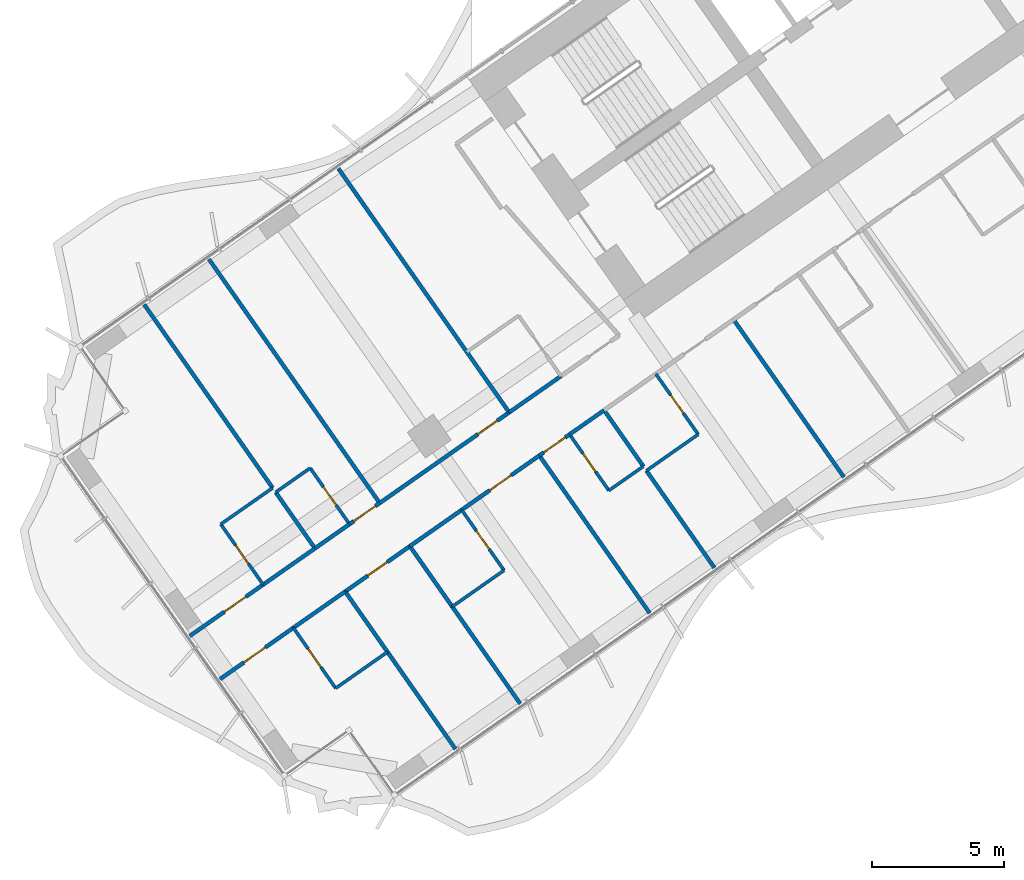
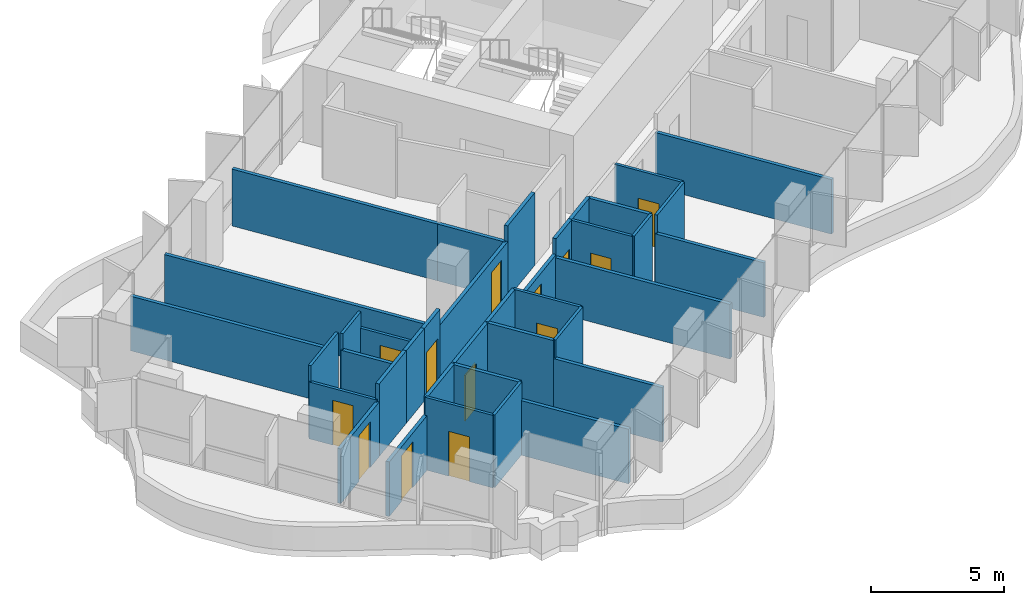
# One storey, part 13 of 25: 38 walls, 13 doors, 13 openings.
"""IFC4 building model written with IfcOpenShell, lengths in metres."""

from ifc_helpers import new_model, si_unit, direction, frame, frame_2d, origin, place, context, subcontext, project, spatial, rectangle, extrude, material, layer, layer_set, type_object, element, fill, save


model = new_model("IFC4")

# Units and contexts
model_context = context("Model", 3, precision=1e-05, world=origin(), true_north=direction((0.0, 1.0)))
body_context = subcontext(model_context, "Body", "Model", "MODEL_VIEW")
ifc_project = project(units=[si_unit("LENGTHUNIT", "METRE"), si_unit("AREAUNIT", "SQUARE_METRE"), si_unit("VOLUMEUNIT", "CUBIC_METRE"), si_unit("PLANEANGLEUNIT", "RADIAN"), si_unit("MASSUNIT", "GRAM", prefix="KILO")], contexts=[model_context])

# Site, building, storey
site_placement = place(None, origin())
site = spatial("IfcSite", under=ifc_project, at=site_placement, CompositionType="ELEMENT")
building_placement = place(site_placement, origin())
building = spatial("IfcBuilding", under=site, at=building_placement, Name="Tel Ilan Convention Tower", CompositionType="ELEMENT")
storey_placement = place(building_placement, frame((0.0, 0.0, 61.699951171875)))
storey = spatial("IfcBuildingStorey", under=building, at=storey_placement, Name="L10", CompositionType="ELEMENT", Elevation=61.699951171875)

# Wall
ifc_material_1 = material(Name="Plasterboard on Steel Studs", Category="steel")
ifc_layer_1 = layer(ifc_material_1, 0.14990234375)
ifc_layer_set_1 = layer_set([ifc_layer_1], Name="Fire-rated Partition 150 EI 60")
wall_type_1 = type_object("IfcWallType", Name="Fire-rated Partition 150 EI 60", PredefinedType="PARTITIONING", material=ifc_layer_set_1)
wall_1_placement = place(storey_placement, frame((-26.460205078125, -19.748291015625, 0.0), z_axis=(0.0, 0.0, 1.0), x_axis=(0.819179439794, 0.573537309527, 0.0)))
element("IfcWall", 1, at=wall_1_placement, inside=storey, type_object=wall_type_1, Name="Partition 029", PredefinedType="PARTITIONING", context=body_context, shape_type="SweptSolid", body=[
    extrude(rectangle(XDim=2.404296875, YDim=0.14990234375, at=frame_2d((1.2021484375, 0.0))), origin(), (0.0, 0.0, 1.0), 3.320068359375),
])

# Wall, opening, door
wall_2_placement = place(storey_placement, frame((-31.375, -23.189697265625, 0.0), z_axis=(0.0, 0.0, 1.0), x_axis=(0.819165052243, 0.573557858619, 0.0)))
wall_2 = element("IfcWall", 2, at=wall_2_placement, inside=storey, type_object=wall_type_1, Name="Partition 030", PredefinedType="PARTITIONING", context=body_context, shape_type="SweptSolid", body=[
    extrude(rectangle(XDim=6.00390625, YDim=0.14990234375, at=frame_2d((3.001953125, 0.0))), origin(), (0.0, 0.0, 1.0), 2.60009765625),
])
opening_1_placement = place(wall_2_placement, frame((4.552001953125, 0.0, 0.0)))
opening_1 = element("IfcOpeningElement", 3, at=opening_1_placement, cuts=wall_2, Name="Opening L08-019", PredefinedType="OPENING", context=body_context, shape_type="SweptSolid", body=[
    extrude(rectangle(XDim=0.89990234375, YDim=2.10009765625, at=frame_2d((0.449951171875, 1.050048828125))), frame((0.0, 0.0849609375, 0.0), z_axis=(0.0, -1.0, 0.0), x_axis=(1.0, 0.0, 0.0)), (0.0, 0.0, 1.0), 0.169921875),
])
ifc_material_2 = material(Name="Timber Door Leaf in Steel Frame", Category="steel")
door_type_1 = type_object("IfcDoorType", Name="Room Fire Door 900x2100", OperationType="NOTDEFINED", PredefinedType="DOOR", material=ifc_material_2)
door_1_placement = place(opening_1_placement, origin())
door_1 = element("IfcDoor", 4, at=door_1_placement, inside=storey, type_object=door_type_1, Name="Door L08-019", OperationType="SINGLE_SWING_LEFT", OverallHeight=2.10009765625, OverallWidth=0.89990234375, PredefinedType="DOOR", context=body_context, shape_type="SweptSolid", body=[
    extrude(rectangle(XDim=0.89990234375, YDim=2.10009765625, at=frame_2d((0.449951171875, 1.050048828125))), frame((0.0, 0.02490234375, 0.0), z_axis=(0.0, -1.0, 0.0), x_axis=(1.0, 0.0, 0.0)), (0.0, 0.0, 1.0), 0.050048828125),
])
fill(opening_1, door_1)

wall_3_placement = place(storey_placement, frame((-32.52099609375, -23.9921875, 0.0), z_axis=(0.0, 0.0, 1.0), x_axis=(0.819199220913, 0.573509055252, 0.0)))
wall_3 = element("IfcWall", 5, at=wall_3_placement, inside=storey, type_object=wall_type_1, Name="Partition 031", PredefinedType="PARTITIONING", context=body_context, shape_type="SweptSolid", body=[
    extrude(rectangle(XDim=1.403076171875, YDim=0.14990234375, at=frame_2d((0.70166015625, 0.0))), origin(), (0.0, 0.0, 1.0), 3.320068359375),
])
opening_2_placement = place(wall_3_placement, frame((0.200927734375, 0.0, 0.0)))
opening_2 = element("IfcOpeningElement", 6, at=opening_2_placement, cuts=wall_3, Name="Opening L08-021", PredefinedType="OPENING", context=body_context, shape_type="SweptSolid", body=[
    extrude(rectangle(XDim=1.0, YDim=2.10009765625, at=frame_2d((0.5, 1.050048828125))), frame((0.0, 0.0849609375, 0.0), z_axis=(0.0, -1.0, 0.0), x_axis=(1.0, 0.0, 0.0)), (0.0, 0.0, 1.0), 0.169921875),
])
ifc_material_3 = material(Name="Timber Door Leaf in Steel Frame", Category="steel")
door_type_2 = type_object("IfcDoorType", Name="Hotel Room Entrance Fire Door 1000x2100", OperationType="NOTDEFINED", PredefinedType="DOOR", material=ifc_material_3)
door_2_placement = place(opening_2_placement, origin())
door_2 = element("IfcDoor", 7, at=door_2_placement, inside=storey, type_object=door_type_2, Name="Door L08-021", OperationType="SINGLE_SWING_RIGHT", OverallHeight=2.10009765625, OverallWidth=1.0, PredefinedType="DOOR", context=body_context, shape_type="SweptSolid", body=[
    extrude(rectangle(XDim=1.0, YDim=2.10009765625, at=frame_2d((0.5, 1.050048828125))), frame((0.0, 0.02490234375, 0.0), z_axis=(0.0, -1.0, 0.0), x_axis=(1.0, 0.0, 0.0)), (0.0, 0.0, 1.0), 0.050048828125),
])
fill(opening_2, door_2)

# Wall
wall_4_placement = place(storey_placement, frame((-33.83251953125, -24.910400390625, 0.0), z_axis=(0.0, 0.0, 1.0), x_axis=(0.819189013667, 0.573523634986, 0.0)))
element("IfcWall", 8, at=wall_4_placement, inside=storey, type_object=wall_type_1, Name="Partition 032", PredefinedType="PARTITIONING", context=body_context, shape_type="SweptSolid", body=[
    extrude(rectangle(XDim=1.60400390625, YDim=0.14990234375, at=frame_2d((0.802001953125, 0.0))), origin(), (0.0, 0.0, 1.0), 3.320068359375),
])

# Wall, opening, door
wall_5_placement = place(storey_placement, frame((-38.581787109375, -28.236083984375, 0.0), z_axis=(0.0, 0.0, 1.0), x_axis=(0.819154345195, 0.573573150303, 0.0)))
wall_5 = element("IfcWall", 9, at=wall_5_placement, inside=storey, type_object=wall_type_1, Name="Partition 033", PredefinedType="PARTITIONING", context=body_context, shape_type="SweptSolid", body=[
    extrude(rectangle(XDim=3.40087890625, YDim=0.14990234375, at=frame_2d((1.700439453125, 0.0))), origin(), (0.0, 0.0, 1.0), 2.5),
])
opening_3_placement = place(wall_5_placement, frame((1.60009765625, 0.0, 0.0)))
opening_3 = element("IfcOpeningElement", 10, at=opening_3_placement, cuts=wall_5, Name="Opening L08-023", PredefinedType="OPENING", context=body_context, shape_type="SweptSolid", body=[
    extrude(rectangle(XDim=1.0, YDim=2.10009765625, at=frame_2d((0.5, 1.050048828125))), frame((0.0, 0.0849609375, 0.0), z_axis=(0.0, -1.0, 0.0), x_axis=(1.0, 0.0, 0.0)), (0.0, 0.0, 1.0), 0.169921875),
])
door_3_placement = place(opening_3_placement, origin())
door_3 = element("IfcDoor", 11, at=door_3_placement, inside=storey, type_object=door_type_2, Name="Door L08-023", OperationType="SINGLE_SWING_LEFT", OverallHeight=2.10009765625, OverallWidth=1.0, PredefinedType="DOOR", context=body_context, shape_type="SweptSolid", body=[
    extrude(rectangle(XDim=1.0, YDim=2.10009765625, at=frame_2d((0.5, 1.050048828125))), frame((0.0, 0.02490234375, 0.0), z_axis=(0.0, -1.0, 0.0), x_axis=(1.0, 0.0, 0.0)), (0.0, 0.0, 1.0), 0.050048828125),
])
fill(opening_3, door_3)

# Wall
wall_6_placement = place(storey_placement, frame((-35.79833984375, -26.287109375, 0.0), z_axis=(0.0, 0.0, 1.0), x_axis=(0.819146032251, 0.573585022335, 0.0)))
element("IfcWall", 12, at=wall_6_placement, inside=storey, type_object=wall_type_1, Name="Partition 034", PredefinedType="PARTITIONING", context=body_context, shape_type="SweptSolid", body=[
    extrude(rectangle(XDim=2.404052734375, YDim=0.14990234375, at=frame_2d((1.2021484375, 0.0))), origin(), (0.0, 0.0, 1.0), 3.320068359375),
])

# Wall, opening, door
wall_7_placement = place(storey_placement, frame((-24.163818359375, -20.581787109375, 0.0), z_axis=(0.0, 0.0, 1.0), x_axis=(-0.819060210533, -0.573707566205, 0.0)))
wall_7 = element("IfcWall", 13, at=wall_7_placement, inside=storey, type_object=wall_type_1, Name="Partition 044", PredefinedType="PARTITIONING", context=body_context, shape_type="SweptSolid", body=[
    extrude(rectangle(XDim=1.403076171875, YDim=0.14990234375, at=frame_2d((0.70166015625, 0.0))), origin(), (0.0, 0.0, 1.0), 3.320068359375),
])
opening_4_placement = place(wall_7_placement, frame((0.200927734375, 0.0, 0.0)))
opening_4 = element("IfcOpeningElement", 14, at=opening_4_placement, cuts=wall_7, Name="Opening L08-011", PredefinedType="OPENING", context=body_context, shape_type="SweptSolid", body=[
    extrude(rectangle(XDim=1.0, YDim=2.10009765625, at=frame_2d((0.5, 1.050048828125))), frame((0.0, 0.0849609375, 0.0), z_axis=(0.0, -1.0, 0.0), x_axis=(1.0, 0.0, 0.0)), (0.0, 0.0, 1.0), 0.169921875),
])
door_4_placement = place(opening_4_placement, origin())
door_4 = element("IfcDoor", 15, at=door_4_placement, inside=storey, type_object=door_type_2, Name="Door L08-011", OperationType="SINGLE_SWING_RIGHT", OverallHeight=2.10009765625, OverallWidth=1.0, PredefinedType="DOOR", context=body_context, shape_type="SweptSolid", body=[
    extrude(rectangle(XDim=1.0, YDim=2.10009765625, at=frame_2d((0.5, 1.050048828125))), frame((0.0, 0.02490234375, 0.0), z_axis=(0.0, -1.0, 0.0), x_axis=(1.0, 0.0, 0.0)), (0.0, 0.0, 1.0), 0.050048828125),
])
fill(opening_4, door_4)

# Wall
wall_8_placement = place(storey_placement, frame((-22.852294921875, -19.66357421875, 0.0), z_axis=(0.0, 0.0, 1.0), x_axis=(-0.819138938282, -0.573595153214, 0.0)))
element("IfcWall", 16, at=wall_8_placement, inside=storey, type_object=wall_type_1, Name="Partition 045", PredefinedType="PARTITIONING", context=body_context, shape_type="SweptSolid", body=[
    extrude(rectangle(XDim=1.603759765625, YDim=0.14990234375, at=frame_2d((0.8017578125, 0.0))), origin(), (0.0, 0.0, 1.0), 3.320068359375),
])

# Wall, opening, door
wall_9_placement = place(storey_placement, frame((-25.3095703125, -21.38427734375, 0.0), z_axis=(0.0, 0.0, 1.0), x_axis=(-0.819145961204, -0.573585123798, 0.0)))
wall_9 = element("IfcWall", 17, at=wall_9_placement, inside=storey, type_object=wall_type_1, Name="Partition 046", PredefinedType="PARTITIONING", context=body_context, shape_type="SweptSolid", body=[
    extrude(rectangle(XDim=3.60302734375, YDim=0.14990234375, at=frame_2d((1.801513671875, 0.0))), origin(), (0.0, 0.0, 1.0), 2.60009765625),
])
opening_5_placement = place(wall_9_placement, frame((1.302001953125, 0.0, 0.0)))
opening_5 = element("IfcOpeningElement", 18, at=opening_5_placement, cuts=wall_9, Name="Opening L08-013", PredefinedType="OPENING", context=body_context, shape_type="SweptSolid", body=[
    extrude(rectangle(XDim=1.0, YDim=2.10009765625, at=frame_2d((0.5, 1.050048828125))), frame((0.0, 0.0849609375, 0.0), z_axis=(0.0, -1.0, 0.0), x_axis=(1.0, 0.0, 0.0)), (0.0, 0.0, 1.0), 0.169921875),
])
door_5_placement = place(opening_5_placement, origin())
door_5 = element("IfcDoor", 19, at=door_5_placement, inside=storey, type_object=door_type_2, Name="Door L08-013", OperationType="SINGLE_SWING_LEFT", OverallHeight=2.10009765625, OverallWidth=1.0, PredefinedType="DOOR", context=body_context, shape_type="SweptSolid", body=[
    extrude(rectangle(XDim=1.0, YDim=2.10009765625, at=frame_2d((0.5, 1.050048828125))), frame((0.0, 0.02490234375, 0.0), z_axis=(0.0, -1.0, 0.0), x_axis=(1.0, 0.0, 0.0)), (0.0, 0.0, 1.0), 0.050048828125),
])
fill(opening_5, door_5)

# Wall
wall_10_placement = place(storey_placement, frame((-28.258544921875, -23.44921875, 0.0), z_axis=(0.0, 0.0, 1.0), x_axis=(-0.819146032251, -0.573585022335, 0.0)))
element("IfcWall", 20, at=wall_10_placement, inside=storey, type_object=wall_type_1, Name="Partition 047", PredefinedType="PARTITIONING", context=body_context, shape_type="SweptSolid", body=[
    extrude(rectangle(XDim=2.404052734375, YDim=0.14990234375, at=frame_2d((1.2021484375, 0.0))), origin(), (0.0, 0.0, 1.0), 3.320068359375),
])

# Wall, opening, door
wall_11_placement = place(storey_placement, frame((-30.224609375, -24.82568359375, 0.0), z_axis=(0.0, 0.0, 1.0), x_axis=(-0.819128818764, -0.573609604409, 0.0)))
wall_11 = element("IfcWall", 21, at=wall_11_placement, inside=storey, type_object=wall_type_1, Name="Partition 048", PredefinedType="PARTITIONING", context=body_context, shape_type="SweptSolid", body=[
    extrude(rectangle(XDim=3.004150390625, YDim=0.14990234375, at=frame_2d((1.501953125, 0.0))), origin(), (0.0, 0.0, 1.0), 3.320068359375),
])
opening_6_placement = place(wall_11_placement, frame((1.052001953125, 0.0, 0.0)))
opening_6 = element("IfcOpeningElement", 22, at=opening_6_placement, cuts=wall_11, Name="Opening L08-014", PredefinedType="OPENING", context=body_context, shape_type="SweptSolid", body=[
    extrude(rectangle(XDim=0.89990234375, YDim=2.10009765625, at=frame_2d((0.449951171875, 1.050048828125))), frame((0.0, 0.0849609375, 0.0), z_axis=(0.0, -1.0, 0.0), x_axis=(1.0, 0.0, 0.0)), (0.0, 0.0, 1.0), 0.169921875),
])
door_6_placement = place(opening_6_placement, origin())
door_6 = element("IfcDoor", 23, at=door_6_placement, inside=storey, type_object=door_type_1, Name="Door L08-014", OperationType="SINGLE_SWING_LEFT", OverallHeight=2.10009765625, OverallWidth=0.89990234375, PredefinedType="DOOR", context=body_context, shape_type="SweptSolid", body=[
    extrude(rectangle(XDim=0.89990234375, YDim=2.10009765625, at=frame_2d((0.449951171875, 1.050048828125))), frame((0.0, 0.02490234375, 0.0), z_axis=(0.0, -1.0, 0.0), x_axis=(1.0, 0.0, 0.0)), (0.0, 0.0, 1.0), 0.050048828125),
])
fill(opening_6, door_6)

wall_12_placement = place(storey_placement, frame((-34.648681640625, -27.923583984375, 0.0), z_axis=(0.0, 0.0, 1.0), x_axis=(-0.819144234337, -0.573587589957, 0.0)))
wall_12 = element("IfcWall", 24, at=wall_12_placement, inside=storey, type_object=wall_type_1, Name="Partition 049", PredefinedType="PARTITIONING", context=body_context, shape_type="SweptSolid", body=[
    extrude(rectangle(XDim=3.4013671875, YDim=0.14990234375, at=frame_2d((1.70068359375, 0.0))), origin(), (0.0, 0.0, 1.0), 2.5),
])
opening_7_placement = place(wall_12_placement, frame((1.301025390625, 0.0, 0.0)))
opening_7 = element("IfcOpeningElement", 25, at=opening_7_placement, cuts=wall_12, Name="Opening L08-016", PredefinedType="OPENING", context=body_context, shape_type="SweptSolid", body=[
    extrude(rectangle(XDim=1.0, YDim=2.10009765625, at=frame_2d((0.5, 1.050048828125))), frame((0.0, 0.0849609375, 0.0), z_axis=(0.0, -1.0, 0.0), x_axis=(1.0, 0.0, 0.0)), (0.0, 0.0, 1.0), 0.169921875),
])
door_7_placement = place(opening_7_placement, origin())
door_7 = element("IfcDoor", 26, at=door_7_placement, inside=storey, type_object=door_type_2, Name="Door L08-016", OperationType="SINGLE_SWING_RIGHT", OverallHeight=2.10009765625, OverallWidth=1.0, PredefinedType="DOOR", context=body_context, shape_type="SweptSolid", body=[
    extrude(rectangle(XDim=1.0, YDim=2.10009765625, at=frame_2d((0.5, 1.050048828125))), frame((0.0, 0.02490234375, 0.0), z_axis=(0.0, -1.0, 0.0), x_axis=(1.0, 0.0, 0.0)), (0.0, 0.0, 1.0), 0.050048828125),
])
fill(opening_7, door_7)

# Walls
wall_13_placement = place(storey_placement, frame((-32.681884765625, -26.54638671875, 0.0), z_axis=(0.0, 0.0, 1.0), x_axis=(-0.819179439794, -0.573537309527, 0.0)))
element("IfcWall", 27, at=wall_13_placement, inside=storey, type_object=wall_type_1, Name="Partition 050", PredefinedType="PARTITIONING", context=body_context, shape_type="SweptSolid", body=[
    extrude(rectangle(XDim=2.404296875, YDim=0.14990234375, at=frame_2d((1.2021484375, 0.0))), origin(), (0.0, 0.0, 1.0), 3.320068359375),
])
wall_14_placement = place(storey_placement, frame((-28.06494140625, -17.45263671875, 0.0), z_axis=(0.0, 0.0, 1.0), x_axis=(-0.573593433868, 0.819140142237, 0.0)))
element("IfcWall", 28, at=wall_14_placement, inside=storey, type_object=wall_type_1, Name="Partition 107", PredefinedType="PARTITIONING", context=body_context, shape_type="SweptSolid", body=[
    extrude(rectangle(XDim=8.4990234375, YDim=0.14990234375, at=frame_2d((4.24951171875, 0.0))), origin(), (0.0, 0.0, 1.0), 2.60009765625),
])
wall_15_placement = place(storey_placement, frame((-26.45849609375, -19.747314453125, 0.0), z_axis=(0.0, 0.0, 1.0), x_axis=(-0.573550118428, 0.819170471667, 0.0)))
element("IfcWall", 29, at=wall_15_placement, inside=storey, type_object=wall_type_1, Name="Partition 108", PredefinedType="PARTITIONING", context=body_context, shape_type="SweptSolid", body=[
    extrude(rectangle(XDim=2.800048828125, YDim=0.14990234375, at=frame_2d((1.39990234375, 0.0))), origin(), (0.0, 0.0, 1.0), 2.60009765625),
])
wall_16_placement = place(storey_placement, frame((-31.373291015625, -23.188720703125, 0.0), z_axis=(0.0, 0.0, 1.0), x_axis=(-0.573571089604, 0.819155788095, 0.0)))
element("IfcWall", 30, at=wall_16_placement, inside=storey, type_object=wall_type_1, Name="Partition 109", PredefinedType="PARTITIONING", context=body_context, shape_type="SweptSolid", body=[
    extrude(rectangle(XDim=11.300048828125, YDim=0.14990234375, at=frame_2d((5.64990234375, 0.0))), origin(), (0.0, 0.0, 1.0), 2.5),
])
wall_17_placement = place(storey_placement, frame((-35.436279296875, -22.61669921875, 0.0), z_axis=(0.0, 0.0, 1.0), x_axis=(-0.57356256513, 0.819161756848, 0.0)))
element("IfcWall", 31, at=wall_17_placement, inside=storey, type_object=wall_type_1, Name="Partition 112", PredefinedType="PARTITIONING", context=body_context, shape_type="SweptSolid", body=[
    extrude(rectangle(XDim=8.501220703125, YDim=0.14990234375, at=frame_2d((4.25048828125, 0.0))), origin(), (0.0, 0.0, 1.0), 2.5),
])
wall_18_placement = place(storey_placement, frame((-33.830810546875, -24.909423828125, 0.0), z_axis=(0.0, 0.0, 1.0), x_axis=(-0.573537965655, 0.819178980414, 0.0)))
element("IfcWall", 32, at=wall_18_placement, inside=storey, type_object=wall_type_1, Name="Partition 113", PredefinedType="PARTITIONING", context=body_context, shape_type="SweptSolid", body=[
    extrude(rectangle(XDim=2.60009765625, YDim=0.14990234375, at=frame_2d((1.300048828125, 0.0))), origin(), (0.0, 0.0, 1.0), 2.60009765625),
])
wall_19_placement = place(storey_placement, frame((-13.751708984375, -22.203125, 0.0), z_axis=(0.0, 0.0, 1.0), x_axis=(-0.573594765376, 0.819139209862, 0.0)))
element("IfcWall", 33, at=wall_19_placement, inside=storey, type_object=wall_type_1, Name="Partition 127", PredefinedType="PARTITIONING", context=body_context, shape_type="SweptSolid", body=[
    extrude(rectangle(XDim=7.300048828125, YDim=0.14990234375, at=frame_2d((3.64990234375, 0.0))), origin(), (0.0, 0.0, 1.0), 2.5),
])
wall_20_placement = place(storey_placement, frame((-18.666748046875, -25.64453125, 0.0), z_axis=(0.0, 0.0, 1.0), x_axis=(-0.573589807488, 0.819142681555, 0.0)))
element("IfcWall", 34, at=wall_20_placement, inside=storey, type_object=wall_type_1, Name="Partition 130", PredefinedType="PARTITIONING", context=body_context, shape_type="SweptSolid", body=[
    extrude(rectangle(XDim=4.4990234375, YDim=0.14990234375, at=frame_2d((2.24951171875, 0.0))), origin(), (0.0, 0.0, 1.0), 2.5),
])
wall_21_placement = place(storey_placement, frame((-21.361328125, -21.796142578125, 0.0), z_axis=(0.0, 0.0, 1.0), x_axis=(-0.573588285102, 0.819143747577, 0.0)))
element("IfcWall", 35, at=wall_21_placement, inside=storey, type_object=wall_type_1, Name="Partition 131", PredefinedType="PARTITIONING", context=body_context, shape_type="SweptSolid", body=[
    extrude(rectangle(XDim=2.601806640625, YDim=0.14990234375, at=frame_2d((1.30078125, 0.0))), origin(), (0.0, 0.0, 1.0), 3.320068359375),
])
wall_22_placement = place(storey_placement, frame((-21.124267578125, -27.365234375, 0.0), z_axis=(0.0, 0.0, 1.0), x_axis=(-0.573572324301, 0.819154923562, 0.0)))
element("IfcWall", 36, at=wall_22_placement, inside=storey, type_object=wall_type_1, Name="Partition 134", PredefinedType="PARTITIONING", context=body_context, shape_type="SweptSolid", body=[
    extrude(rectangle(XDim=7.2998046875, YDim=0.14990234375, at=frame_2d((3.64990234375, 0.0))), origin(), (0.0, 0.0, 1.0), 2.5),
])
wall_23_placement = place(storey_placement, frame((-26.0390625, -30.806640625, 0.0), z_axis=(0.0, 0.0, 1.0), x_axis=(-0.573589807488, 0.819142681555, 0.0)))
element("IfcWall", 37, at=wall_23_placement, inside=storey, type_object=wall_type_1, Name="Partition 137", PredefinedType="PARTITIONING", context=body_context, shape_type="SweptSolid", body=[
    extrude(rectangle(XDim=4.4990234375, YDim=0.14990234375, at=frame_2d((2.24951171875, 0.0))), origin(), (0.0, 0.0, 1.0), 2.5),
])
wall_24_placement = place(storey_placement, frame((-28.6201171875, -27.12060546875, 0.0), z_axis=(0.0, 0.0, 1.0), x_axis=(-0.573608623498, 0.819129505664, 0.0)))
element("IfcWall", 38, at=wall_24_placement, inside=storey, type_object=wall_type_1, Name="Partition 138", PredefinedType="PARTITIONING", context=body_context, shape_type="SweptSolid", body=[
    extrude(rectangle(XDim=2.800048828125, YDim=0.14990234375, at=frame_2d((1.39990234375, 0.0))), origin(), (0.0, 0.0, 1.0), 3.320068359375),
])
wall_25_placement = place(storey_placement, frame((-28.49658203125, -32.527587890625, 0.0), z_axis=(0.0, 0.0, 1.0), x_axis=(-0.573556991349, 0.819165659482, 0.0)))
element("IfcWall", 39, at=wall_25_placement, inside=storey, type_object=wall_type_1, Name="Partition 139", PredefinedType="PARTITIONING", context=body_context, shape_type="SweptSolid", body=[
    extrude(rectangle(XDim=4.5009765625, YDim=0.14990234375, at=frame_2d((2.25048828125, 0.0))), origin(), (0.0, 0.0, 1.0), 2.5),
])
wall_26_placement = place(storey_placement, frame((-31.076416015625, -28.843017578125, 0.0), z_axis=(0.0, 0.0, 1.0), x_axis=(-0.573555899632, 0.819166423871, 0.0)))
element("IfcWall", 40, at=wall_26_placement, inside=storey, type_object=wall_type_1, Name="Partition 140", PredefinedType="PARTITIONING", context=body_context, shape_type="SweptSolid", body=[
    extrude(rectangle(XDim=2.80224609375, YDim=0.14990234375, at=frame_2d((1.401123046875, 0.0))), origin(), (0.0, 0.0, 1.0), 3.320068359375),
])

# Wall, opening, door
ifc_material_4 = material(Name="Plasterboard on Steel Studs", Category="steel")
ifc_layer_2 = layer(ifc_material_4, 0.1201171875)
ifc_layer_set_2 = layer_set([ifc_layer_2], Name="Moisture-resistant Partition 120")
wall_type_2 = type_object("IfcWallType", Name="Moisture-resistant Partition 120", PredefinedType="PARTITIONING", material=ifc_layer_set_2)
wall_27_placement = place(storey_placement, frame((-32.519287109375, -23.9912109375, 0.0), z_axis=(0.0, 0.0, 1.0), x_axis=(-0.573537965655, 0.819178980414, 0.0)))
wall_27 = element("IfcWall", 41, at=wall_27_placement, inside=storey, type_object=wall_type_2, Name="Partition 110", PredefinedType="PARTITIONING", context=body_context, shape_type="SweptSolid", body=[
    extrude(rectangle(XDim=2.60009765625, YDim=0.1201171875, at=frame_2d((1.300048828125, 0.0))), origin(), (0.0, 0.0, 1.0), 2.60009765625),
])
opening_8_placement = place(wall_27_placement, frame((0.875, 0.0, 0.0)))
opening_8 = element("IfcOpeningElement", 42, at=opening_8_placement, cuts=wall_27, Name="Opening L08-020", PredefinedType="OPENING", context=body_context, shape_type="SweptSolid", body=[
    extrude(rectangle(XDim=0.85009765625, YDim=2.050048828125, at=frame_2d((0.425048828125, 1.02490234375))), frame((0.0, 0.070068359375, 0.0), z_axis=(0.0, -1.0, 0.0), x_axis=(1.0, 0.0, 0.0)), (0.0, 0.0, 1.0), 0.14013671875),
])
ifc_material_5 = material(Name="Timber Door Leaf in Steel Frame", Category="steel")
door_type_3 = type_object("IfcDoorType", Name="Bathroom Timber Door 850x2050", OperationType="NOTDEFINED", PredefinedType="DOOR", material=ifc_material_5)
door_8_placement = place(opening_8_placement, origin())
door_8 = element("IfcDoor", 43, at=door_8_placement, inside=storey, type_object=door_type_3, Name="Door L08-020", OperationType="SINGLE_SWING_LEFT", OverallHeight=2.050048828125, OverallWidth=0.85009765625, PredefinedType="DOOR", context=body_context, shape_type="SweptSolid", body=[
    extrude(rectangle(XDim=0.85009765625, YDim=2.050048828125, at=frame_2d((0.425048828125, 1.02490234375))), frame((0.0, 0.02490234375, 0.0), z_axis=(0.0, -1.0, 0.0), x_axis=(1.0, 0.0, 0.0)), (0.0, 0.0, 1.0), 0.050048828125),
])
fill(opening_8, door_8)

# Walls
wall_28_placement = place(storey_placement, frame((-34.011962890625, -21.861083984375, 0.0), z_axis=(0.0, 0.0, 1.0), x_axis=(-0.81918174131, -0.573534022273, 0.0)))
element("IfcWall", 44, at=wall_28_placement, inside=storey, type_object=wall_type_2, Name="Partition 111", PredefinedType="PARTITIONING", context=body_context, shape_type="SweptSolid", body=[
    extrude(rectangle(XDim=1.60009765625, YDim=0.1201171875, at=frame_2d((0.800048828125, 0.0))), origin(), (0.0, 0.0, 1.0), 3.320068359375),
])
wall_29_placement = place(storey_placement, frame((-35.4375, -22.614990234375, 0.0), z_axis=(0.0, 0.0, 1.0), x_axis=(-0.819155442668, -0.573571582932, 0.0)))
element("IfcWall", 45, at=wall_29_placement, inside=storey, type_object=wall_type_2, Name="Partition 114", PredefinedType="PARTITIONING", context=body_context, shape_type="SweptSolid", body=[
    extrude(rectangle(XDim=2.39990234375, YDim=0.1201171875, at=frame_2d((1.199951171875, 0.0))), origin(), (0.0, 0.0, 1.0), 3.320068359375),
])

# Wall, opening, door
wall_30_placement = place(storey_placement, frame((-37.403564453125, -23.992919921875, 0.0), z_axis=(0.0, 0.0, 1.0), x_axis=(0.573550118428, -0.819170471667, 0.0)))
wall_30 = element("IfcWall", 46, at=wall_30_placement, inside=storey, type_object=wall_type_2, Name="Partition 115", PredefinedType="PARTITIONING", context=body_context, shape_type="SweptSolid", body=[
    extrude(rectangle(XDim=2.800048828125, YDim=0.1201171875, at=frame_2d((1.39990234375, 0.0))), origin(), (0.0, 0.0, 1.0), 2.60009765625),
])
opening_9_placement = place(wall_30_placement, frame((0.97509765625, 0.0, 0.0)))
opening_9 = element("IfcOpeningElement", 47, at=opening_9_placement, cuts=wall_30, Name="Opening L08-022", PredefinedType="OPENING", context=body_context, shape_type="SweptSolid", body=[
    extrude(rectangle(XDim=0.85009765625, YDim=2.050048828125, at=frame_2d((0.425048828125, 1.02490234375))), frame((0.0, 0.070068359375, 0.0), z_axis=(0.0, -1.0, 0.0), x_axis=(1.0, 0.0, 0.0)), (0.0, 0.0, 1.0), 0.14013671875),
])
door_9_placement = place(opening_9_placement, origin())
door_9 = element("IfcDoor", 48, at=door_9_placement, inside=storey, type_object=door_type_3, Name="Door L08-022", OperationType="SINGLE_SWING_RIGHT", OverallHeight=2.050048828125, OverallWidth=0.85009765625, PredefinedType="DOOR", context=body_context, shape_type="SweptSolid", body=[
    extrude(rectangle(XDim=0.85009765625, YDim=2.050048828125, at=frame_2d((0.425048828125, 1.02490234375))), frame((0.0, 0.02490234375, 0.0), z_axis=(0.0, -1.0, 0.0), x_axis=(1.0, 0.0, 0.0)), (0.0, 0.0, 1.0), 0.050048828125),
])
fill(opening_9, door_9)

# Wall
wall_31_placement = place(storey_placement, frame((-21.247314453125, -21.959228515625, 0.0), z_axis=(0.0, 0.0, 1.0), x_axis=(0.819141114317, 0.573592045652, 0.0)))
element("IfcWall", 49, at=wall_31_placement, inside=storey, type_object=wall_type_2, Name="Partition 128", PredefinedType="PARTITIONING", context=body_context, shape_type="SweptSolid", body=[
    extrude(rectangle(XDim=2.400146484375, YDim=0.1201171875, at=frame_2d((1.2001953125, 0.0))), origin(), (0.0, 0.0, 1.0), 3.320068359375),
])

# Wall, opening, door
wall_32_placement = place(storey_placement, frame((-19.281005859375, -20.581298828125, 0.0), z_axis=(0.0, 0.0, 1.0), x_axis=(-0.573550118428, 0.819170471667, 0.0)))
wall_32 = element("IfcWall", 50, at=wall_32_placement, inside=storey, type_object=wall_type_2, Name="Partition 129", PredefinedType="PARTITIONING", context=body_context, shape_type="SweptSolid", body=[
    extrude(rectangle(XDim=2.800048828125, YDim=0.1201171875, at=frame_2d((1.39990234375, 0.0))), origin(), (0.0, 0.0, 1.0), 3.320068359375),
])
opening_10_placement = place(wall_32_placement, frame((0.97509765625, 0.0, 0.0)))
opening_10 = element("IfcOpeningElement", 51, at=opening_10_placement, cuts=wall_32, Name="Opening L08-008", PredefinedType="OPENING", context=body_context, shape_type="SweptSolid", body=[
    extrude(rectangle(XDim=0.85009765625, YDim=2.050048828125, at=frame_2d((0.425048828125, 1.02490234375))), frame((0.0, 0.070068359375, 0.0), z_axis=(0.0, -1.0, 0.0), x_axis=(1.0, 0.0, 0.0)), (0.0, 0.0, 1.0), 0.14013671875),
])
door_10_placement = place(opening_10_placement, origin())
door_10 = element("IfcDoor", 52, at=door_10_placement, inside=storey, type_object=door_type_3, Name="Door L08-008", OperationType="SINGLE_SWING_RIGHT", OverallHeight=2.050048828125, OverallWidth=0.85009765625, PredefinedType="DOOR", context=body_context, shape_type="SweptSolid", body=[
    extrude(rectangle(XDim=0.85009765625, YDim=2.050048828125, at=frame_2d((0.425048828125, 1.02490234375))), frame((0.0, 0.02490234375, 0.0), z_axis=(0.0, -1.0, 0.0), x_axis=(1.0, 0.0, 0.0)), (0.0, 0.0, 1.0), 0.050048828125),
])
fill(opening_10, door_10)

wall_33_placement = place(storey_placement, frame((-24.165283203125, -20.5830078125, 0.0), z_axis=(0.0, 0.0, 1.0), x_axis=(0.573537965655, -0.819178980414, 0.0)))
wall_33 = element("IfcWall", 53, at=wall_33_placement, inside=storey, type_object=wall_type_2, Name="Partition 132", PredefinedType="PARTITIONING", context=body_context, shape_type="SweptSolid", body=[
    extrude(rectangle(XDim=2.60009765625, YDim=0.1201171875, at=frame_2d((1.300048828125, 0.0))), origin(), (0.0, 0.0, 1.0), 3.320068359375),
])
opening_11_placement = place(wall_33_placement, frame((0.875, 0.0, 0.0)))
opening_11 = element("IfcOpeningElement", 54, at=opening_11_placement, cuts=wall_33, Name="Opening L08-010", PredefinedType="OPENING", context=body_context, shape_type="SweptSolid", body=[
    extrude(rectangle(XDim=0.85009765625, YDim=2.050048828125, at=frame_2d((0.425048828125, 1.02490234375))), frame((0.0, 0.070068359375, 0.0), z_axis=(0.0, -1.0, 0.0), x_axis=(1.0, 0.0, 0.0)), (0.0, 0.0, 1.0), 0.14013671875),
])
door_11_placement = place(opening_11_placement, origin())
door_11 = element("IfcDoor", 55, at=door_11_placement, inside=storey, type_object=door_type_3, Name="Door L08-010", OperationType="SINGLE_SWING_LEFT", OverallHeight=2.050048828125, OverallWidth=0.85009765625, PredefinedType="DOOR", context=body_context, shape_type="SweptSolid", body=[
    extrude(rectangle(XDim=0.85009765625, YDim=2.050048828125, at=frame_2d((0.425048828125, 1.02490234375))), frame((0.0, 0.02490234375, 0.0), z_axis=(0.0, -1.0, 0.0), x_axis=(1.0, 0.0, 0.0)), (0.0, 0.0, 1.0), 0.050048828125),
])
fill(opening_11, door_11)

# Walls
wall_34_placement = place(storey_placement, frame((-22.672607421875, -22.713134765625, 0.0), z_axis=(0.0, 0.0, 1.0), x_axis=(0.819131543282, 0.57360571371, 0.0)))
element("IfcWall", 56, at=wall_34_placement, inside=storey, type_object=wall_type_2, Name="Partition 133", PredefinedType="PARTITIONING", context=body_context, shape_type="SweptSolid", body=[
    extrude(rectangle(XDim=1.599853515625, YDim=0.1201171875, at=frame_2d((0.7998046875, 0.0))), origin(), (0.0, 0.0, 1.0), 3.320068359375),
])
wall_35_placement = place(storey_placement, frame((-28.61962890625, -27.121337890625, 0.0), z_axis=(0.0, 0.0, 1.0), x_axis=(0.819188907105, 0.573523787192, 0.0)))
element("IfcWall", 57, at=wall_35_placement, inside=storey, type_object=wall_type_2, Name="Partition 135", PredefinedType="PARTITIONING", context=body_context, shape_type="SweptSolid", body=[
    extrude(rectangle(XDim=2.39990234375, YDim=0.1201171875, at=frame_2d((1.199951171875, 0.0))), origin(), (0.0, 0.0, 1.0), 3.320068359375),
])

# Wall, opening, door
wall_36_placement = place(storey_placement, frame((-26.6533203125, -25.743408203125, 0.0), z_axis=(0.0, 0.0, 1.0), x_axis=(-0.573608623498, 0.819129505664, 0.0)))
wall_36 = element("IfcWall", 58, at=wall_36_placement, inside=storey, type_object=wall_type_2, Name="Partition 136", PredefinedType="PARTITIONING", context=body_context, shape_type="SweptSolid", body=[
    extrude(rectangle(XDim=2.800048828125, YDim=0.1201171875, at=frame_2d((1.39990234375, 0.0))), origin(), (0.0, 0.0, 1.0), 3.320068359375),
])
opening_12_placement = place(wall_36_placement, frame((0.97509765625, 0.0, 0.0)))
opening_12 = element("IfcOpeningElement", 59, at=opening_12_placement, cuts=wall_36, Name="Opening L08-012", PredefinedType="OPENING", context=body_context, shape_type="SweptSolid", body=[
    extrude(rectangle(XDim=0.85009765625, YDim=2.050048828125, at=frame_2d((0.425048828125, 1.02490234375))), frame((0.0, 0.070068359375, 0.0), z_axis=(0.0, -1.0, 0.0), x_axis=(1.0, 0.0, 0.0)), (0.0, 0.0, 1.0), 0.14013671875),
])
door_12_placement = place(opening_12_placement, origin())
door_12 = element("IfcDoor", 60, at=door_12_placement, inside=storey, type_object=door_type_3, Name="Door L08-012", OperationType="SINGLE_SWING_RIGHT", OverallHeight=2.050048828125, OverallWidth=0.85009765625, PredefinedType="DOOR", context=body_context, shape_type="SweptSolid", body=[
    extrude(rectangle(XDim=0.85009765625, YDim=2.050048828125, at=frame_2d((0.425048828125, 1.02490234375))), frame((0.0, 0.02490234375, 0.0), z_axis=(0.0, -1.0, 0.0), x_axis=(1.0, 0.0, 0.0)), (0.0, 0.0, 1.0), 0.050048828125),
])
fill(opening_12, door_12)

wall_37_placement = place(storey_placement, frame((-34.650390625, -27.9248046875, 0.0), z_axis=(0.0, 0.0, 1.0), x_axis=(0.573550118428, -0.819170471667, 0.0)))
wall_37 = element("IfcWall", 61, at=wall_37_placement, inside=storey, type_object=wall_type_2, Name="Partition 141", PredefinedType="PARTITIONING", context=body_context, shape_type="SweptSolid", body=[
    extrude(rectangle(XDim=2.800048828125, YDim=0.1201171875, at=frame_2d((1.39990234375, 0.0))), origin(), (0.0, 0.0, 1.0), 3.320068359375),
])
opening_13_placement = place(wall_37_placement, frame((0.97509765625, 0.0, 0.0)))
opening_13 = element("IfcOpeningElement", 62, at=opening_13_placement, cuts=wall_37, Name="Opening L08-015", PredefinedType="OPENING", context=body_context, shape_type="SweptSolid", body=[
    extrude(rectangle(XDim=0.85009765625, YDim=2.050048828125, at=frame_2d((0.425048828125, 1.02490234375))), frame((0.0, 0.070068359375, 0.0), z_axis=(0.0, -1.0, 0.0), x_axis=(1.0, 0.0, 0.0)), (0.0, 0.0, 1.0), 0.14013671875),
])
door_13_placement = place(opening_13_placement, origin())
door_13 = element("IfcDoor", 63, at=door_13_placement, inside=storey, type_object=door_type_3, Name="Door L08-015", OperationType="SINGLE_SWING_LEFT", OverallHeight=2.050048828125, OverallWidth=0.85009765625, PredefinedType="DOOR", context=body_context, shape_type="SweptSolid", body=[
    extrude(rectangle(XDim=0.85009765625, YDim=2.050048828125, at=frame_2d((0.425048828125, 1.02490234375))), frame((0.0, 0.02490234375, 0.0), z_axis=(0.0, -1.0, 0.0), x_axis=(1.0, 0.0, 0.0)), (0.0, 0.0, 1.0), 0.050048828125),
])
fill(opening_13, door_13)

# Wall
wall_38_placement = place(storey_placement, frame((-33.04296875, -30.21875, 0.0), z_axis=(0.0, 0.0, 1.0), x_axis=(0.819107643868, 0.573639841501, 0.0)))
element("IfcWall", 64, at=wall_38_placement, inside=storey, type_object=wall_type_2, Name="Partition 142", PredefinedType="PARTITIONING", context=body_context, shape_type="SweptSolid", body=[
    extrude(rectangle(XDim=2.39990234375, YDim=0.1201171875, at=frame_2d((1.199951171875, 0.0))), origin(), (0.0, 0.0, 1.0), 3.320068359375),
])

save(model, "model.ifc")
